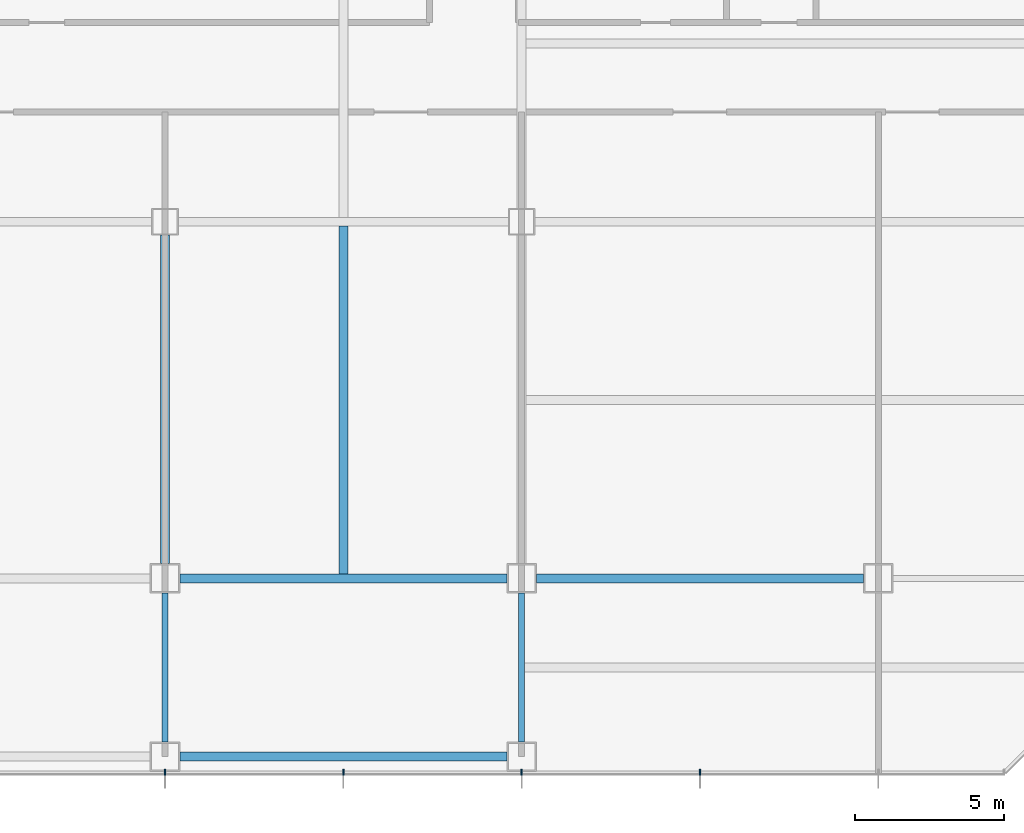
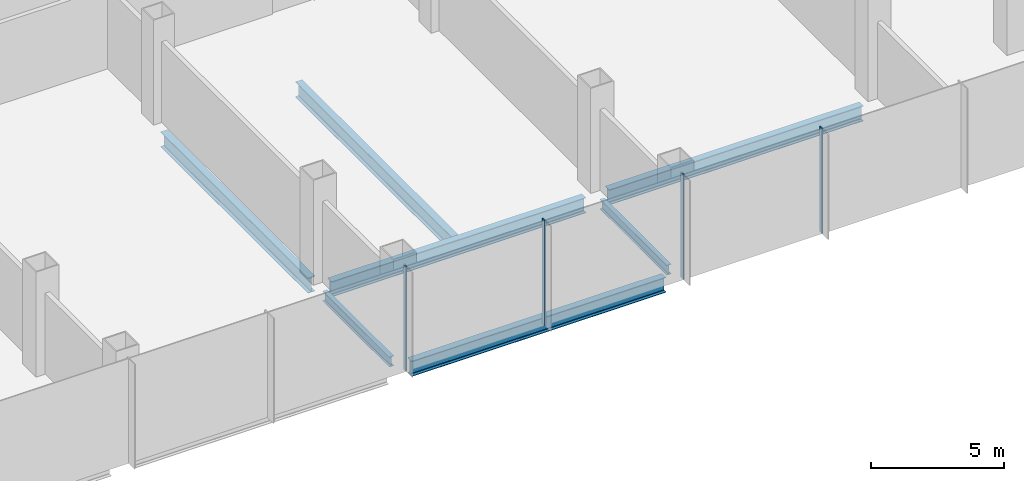
# One storey, part 8 of 33: 7 beams, 4 members, 1 element without a shape of its own.
"""IFC4 building model written with IfcOpenShell, lengths in metres."""

import ifcopenshell
import ifcopenshell.guid

model = None  # the IFC model being written
_history = None  # IfcOwnerHistory: only IFC2X3 demands one
_inside = {}  # id of a spatial element -> (the spatial element, [elements in it])
_under = {}  # id of a project, library or spatial element -> (it, [spatial elements below it])
_declared = {}  # id of a project -> (the project, [libraries it declares])
_typed = {}  # id of a type object -> (the type object, [elements of that type])
_made_of = {}  # id of a material, layer set ... -> (it, [elements and type objects made of it])


def new_model(schema):
    """Start an empty IFC model of exactly this schema.

    Asked for "IFC4X3", IfcOpenShell would pick the latest addendum, in which some entities
    have other attributes; the version numbers below select the first issue.
    IFC2X3 requires an IfcOwnerHistory on every rooted entity: one is made here for all.
    """
    global model, _history
    if schema == "IFC4X3":
        model = ifcopenshell.file(schema_version=(4, 3, 0, 0))
    else:
        model = ifcopenshell.file(schema=schema)
    _inside.clear()
    _under.clear()
    _declared.clear()
    _typed.clear()
    _made_of.clear()
    _history = None
    if model.schema == "IFC2X3":
        org = make("IfcOrganization", Name="unknown")
        user = make(
            "IfcPersonAndOrganization",
            ThePerson=make("IfcPerson", FamilyName="unknown"),
            TheOrganization=org,
        )
        app = make(
            "IfcApplication",
            ApplicationDeveloper=org,
            Version="unknown",
            ApplicationFullName="unknown",
            ApplicationIdentifier="unknown",
        )
        _history = make(
            "IfcOwnerHistory",
            OwningUser=user,
            OwningApplication=app,
            ChangeAction="ADDED",
            CreationDate=0,
        )
    return model


def make(cls, **values):
    """One entity of the class cls with the attributes given. An attribute that is None is left unset."""
    return model.create_entity(
        cls, **{name: value for name, value in values.items() if value is not None}
    )


def rooted(cls, **values):
    """An entity with a GlobalId (a new one), such as an element, a storey or a relation."""
    return make(cls, GlobalId=ifcopenshell.guid.new(), OwnerHistory=_history, **values)


def si_unit(unit_type, name, prefix=None):
    """IfcSIUnit, for example si_unit("LENGTHUNIT", "METRE", prefix="MILLI")."""
    return make("IfcSIUnit", UnitType=unit_type, Prefix=prefix, Name=name)


def assignment(units):
    """IfcUnitAssignment: the units of a project."""
    return None if units is None else make("IfcUnitAssignment", Units=units)


def point(xyz):
    """IfcCartesianPoint."""
    return None if xyz is None else make("IfcCartesianPoint", Coordinates=xyz)


def direction(xyz):
    """IfcDirection."""
    return None if xyz is None else make("IfcDirection", DirectionRatios=xyz)


def frame(location, z_axis=None, x_axis=None):
    """IfcAxis2Placement3D, a coordinate frame: its origin and axes. An axis left out is left unset."""
    return make(
        "IfcAxis2Placement3D",
        Location=point(location),
        Axis=direction(z_axis),
        RefDirection=direction(x_axis),
    )


def frame_2d(location, x_axis=None):
    """IfcAxis2Placement2D, a coordinate frame in the plane: its origin and x axis."""
    return make(
        "IfcAxis2Placement2D", Location=point(location), RefDirection=direction(x_axis)
    )


def origin():
    """The frame at (0, 0, 0) with its axes left unset."""
    return frame((0.0, 0.0, 0.0))


def origin_2d():
    """The frame at (0, 0) in the plane with its x axis left unset."""
    return frame_2d((0.0, 0.0))


def place(relative_to, where):
    """IfcLocalPlacement: puts the frame where relative to a parent placement (None: the world)."""
    return make(
        "IfcLocalPlacement", PlacementRelTo=relative_to, RelativePlacement=where
    )


def context(
    kind, dimensions, precision=None, world=None, true_north=None, identifier=None
):
    """IfcGeometricRepresentationContext, for example the 3D "Model" context."""
    return make(
        "IfcGeometricRepresentationContext",
        ContextIdentifier=identifier,
        ContextType=kind,
        CoordinateSpaceDimension=dimensions,
        Precision=precision,
        WorldCoordinateSystem=world,
        TrueNorth=true_north,
    )


def subcontext(parent, identifier, kind, view, scale=None):
    """IfcGeometricRepresentationSubContext, for example "Body" below "Model"."""
    return make(
        "IfcGeometricRepresentationSubContext",
        ContextIdentifier=identifier,
        ContextType=kind,
        ParentContext=parent,
        TargetScale=scale,
        TargetView=view,
    )


def project(units=None, contexts=None):
    """IfcProject with its units and contexts."""
    return rooted(
        "IfcProject",
        Name="project",
        RepresentationContexts=contexts,
        UnitsInContext=assignment(units),
    )


def spatial(cls, under=None, at=None, **own):
    """A site, building, storey or space (cls), placed at a placement, below another one or the project."""
    s = rooted(cls, ObjectPlacement=at, **own)
    if under is not None:
        _under.setdefault(under.id(), (under, []))[1].append(s)
    return s


def profile(cls, at=None, kind="AREA", **sizes):
    """A parametric profile (cls). Its sizes go by their IFC names, for example OverallWidth=200.0."""
    return make(cls, ProfileType=kind, Position=at, **sizes)


def rectangle(**sizes):
    """IfcRectangleProfileDef."""
    return profile("IfcRectangleProfileDef", **sizes)


def i_section(**sizes):
    """IfcIShapeProfileDef."""
    return profile("IfcIShapeProfileDef", **sizes)


def extrude(swept, where, along, depth):
    """IfcExtrudedAreaSolid: the profile swept, set in the frame where, extruded along a direction by depth."""
    return make(
        "IfcExtrudedAreaSolid",
        SweptArea=swept,
        Position=where,
        ExtrudedDirection=direction(along),
        Depth=depth,
    )


def shape(context_of_items, identifier, shape_type, items):
    """IfcShapeRepresentation: the items that make up one representation, for example the "Body"."""
    return make(
        "IfcShapeRepresentation",
        ContextOfItems=context_of_items,
        RepresentationIdentifier=identifier,
        RepresentationType=shape_type,
        Items=items,
    )


def material(Name=None, Category=None):
    """IfcMaterial."""
    return make("IfcMaterial", Name=Name, Category=Category)


def material_profile(
    of_material, cross_section, Name=None, Category=None, Priority=None
):
    """IfcMaterialProfile: a cross section and its material."""
    return make(
        "IfcMaterialProfile",
        Name=Name,
        Material=of_material,
        Profile=cross_section,
        Priority=Priority,
        Category=Category,
    )


def profile_set(profiles, Name=None, composite=None):
    """IfcMaterialProfileSet."""
    return make(
        "IfcMaterialProfileSet",
        Name=Name,
        MaterialProfiles=profiles,
        CompositeProfile=composite,
    )


def made_of(thing, what):
    """Note that an element or type object is made of a material, layer set ...; save() writes the relation."""
    if what is not None:
        _made_of.setdefault(what.id(), (what, []))[1].append(thing)
    return thing


def type_object(cls, material=None, **own):
    """A type object (cls), such as IfcWallType, which elements share."""
    return made_of(rooted(cls, **own), material)


def element(
    cls,
    number,
    at=None,
    inside=None,
    cuts=None,
    type_object=None,
    material=None,
    context=None,
    identifier="Body",
    shape_type=None,
    held_by="IfcProductDefinitionShape",
    body=None,
    shapes=None,
    **own,
):
    """One element of the class cls, such as IfcWall. Its Tag is "e" and its number.

    at: its placement. inside: the storey or other place that contains it. cuts: it is an
    opening in that element (IfcRelVoidsElement). A single representation is given by context,
    identifier, shape_type and body (its items); several are given by shapes. held_by: the class
    of the entity that holds the representations. save() writes the other relations.
    """
    e = rooted(cls, Tag="e%d" % number, ObjectPlacement=at, **own)
    if body is not None:
        shapes = [shape(context, identifier, shape_type, body)]
    if shapes is not None:
        e.Representation = make(held_by, Representations=shapes)
    if inside is not None:
        _inside.setdefault(inside.id(), (inside, []))[1].append(e)
    if cuts is not None:
        rooted(
            "IfcRelVoidsElement", RelatingBuildingElement=cuts, RelatedOpeningElement=e
        )
    if type_object is not None:
        _typed.setdefault(type_object.id(), (type_object, []))[1].append(e)
    return made_of(e, material)


def aggregate(whole, parts):
    """IfcRelAggregates: a whole, such as a stair, and the parts it consists of."""
    return rooted("IfcRelAggregates", RelatingObject=whole, RelatedObjects=parts)


def save(model, path):
    """Write the relations noted so far, then the file.

    IfcRelAggregates (storeys below a building ...), IfcRelContainedInSpatialStructure (elements
    in a storey), IfcRelDefinesByType, IfcRelAssociatesMaterial and IfcRelDeclares: one each for
    every whole, place, type object, material and project.
    """
    for whole, parts in _under.values():
        aggregate(whole, parts)
    for where, things in _inside.values():
        rooted(
            "IfcRelContainedInSpatialStructure",
            RelatedElements=things,
            RelatingStructure=where,
        )
    for kind, things in _typed.values():
        rooted("IfcRelDefinesByType", RelatedObjects=things, RelatingType=kind)
    for what, things in _made_of.values():
        rooted("IfcRelAssociatesMaterial", RelatedObjects=things, RelatingMaterial=what)
    for by, libraries in _declared.values():
        rooted("IfcRelDeclares", RelatingContext=by, RelatedDefinitions=libraries)
    model.write(path)


model = new_model("IFC4")

# Units and contexts
model_context = context("Model", 3, precision=1e-05, world=origin(), true_north=direction((0.0, 1.0)))
body_context = subcontext(model_context, "Body", "Model", "MODEL_VIEW")
ifc_project = project(units=[si_unit("LENGTHUNIT", "METRE"), si_unit("AREAUNIT", "SQUARE_METRE"), si_unit("VOLUMEUNIT", "CUBIC_METRE"), si_unit("PLANEANGLEUNIT", "RADIAN"), si_unit("MASSUNIT", "GRAM", prefix="KILO")], contexts=[model_context])

# Site, building, storey
site_placement = place(None, origin())
site = spatial("IfcSite", under=ifc_project, at=site_placement, CompositionType="ELEMENT")
building_placement = place(site_placement, origin())
building = spatial("IfcBuilding", under=site, at=building_placement, Name="Sorahane Residences", CompositionType="ELEMENT")
storey_placement = place(building_placement, frame((0.0, 0.0, 30.0)))
storey = spatial("IfcBuildingStorey", under=building, at=storey_placement, Name="L04", CompositionType="ELEMENT", Elevation=30.0)

# Curtain wall, members
ifc_material_1 = material(Name="Dark low-e glass and black anodised aluminium", Category="aluminium")
curtain_wall_type = type_object("IfcCurtainWallType", Name="Curtain wall CW-3 Podium unitised wall", PredefinedType="NOTDEFINED", material=ifc_material_1)
curtain_wall_placement = place(storey_placement, origin())
curtain_wall = element("IfcCurtainWall", 1, at=curtain_wall_placement, inside=storey, type_object=curtain_wall_type, Name="CW-3 curtain wall L04 S1", PredefinedType="NOTDEFINED")
ifc_material_2 = material(Name="Black anodised aluminium", Category="aluminium")
ifc_material_profile_1 = material_profile(ifc_material_2, rectangle(XDim=0.199951171875, YDim=0.050048828125, at=origin_2d()), Name="Curtain wall mullion CW-3 black anodised aluminium 50x200")
ifc_profile_set_1 = profile_set([ifc_material_profile_1], Name="Black anodised aluminium")
member_type = type_object("IfcMemberType", Name="Curtain wall mullion CW-3 black anodised aluminium 50x200", PredefinedType="MULLION", material=ifc_profile_set_1)
member_1_placement = place(storey_placement, frame((36.0, -6.52001953125, -0.39990234375), z_axis=(0.0, 0.0, 1.0), x_axis=(0.0, -1.0, 0.0)))
member_1 = element("IfcMember", 2, at=member_1_placement, type_object=member_type, Name="CW-3 mullion L04 S1.6", PredefinedType="MULLION", context=body_context, shape_type="SweptSolid", body=[
    extrude(rectangle(XDim=0.199951171875, YDim=0.050048828125, at=origin_2d()), origin(), (0.0, 0.0, 1.0), 4.7998046875),
])
member_2_placement = place(storey_placement, frame((42.0, -6.52001953125, -0.39990234375), z_axis=(0.0, 0.0, 1.0), x_axis=(0.0, -1.0, 0.0)))
member_2 = element("IfcMember", 3, at=member_2_placement, type_object=member_type, Name="CW-3 mullion L04 S1.7", PredefinedType="MULLION", context=body_context, shape_type="SweptSolid", body=[
    extrude(rectangle(XDim=0.199951171875, YDim=0.050048828125, at=origin_2d()), origin(), (0.0, 0.0, 1.0), 4.7998046875),
])
member_3_placement = place(storey_placement, frame((48.0, -6.52001953125, -0.39990234375), z_axis=(0.0, 0.0, 1.0), x_axis=(0.0, -1.0, 0.0)))
member_3 = element("IfcMember", 4, at=member_3_placement, type_object=member_type, Name="CW-3 mullion L04 S1.8", PredefinedType="MULLION", context=body_context, shape_type="SweptSolid", body=[
    extrude(rectangle(XDim=0.199951171875, YDim=0.050048828125, at=origin_2d()), origin(), (0.0, 0.0, 1.0), 4.7998046875),
])
member_4_placement = place(storey_placement, frame((54.0, -6.52001953125, -0.39990234375), z_axis=(0.0, 0.0, 1.0), x_axis=(0.0, -1.0, 0.0)))
member_4 = element("IfcMember", 5, at=member_4_placement, type_object=member_type, Name="CW-3 mullion L04 S1.9", PredefinedType="MULLION", context=body_context, shape_type="SweptSolid", body=[
    extrude(rectangle(XDim=0.199951171875, YDim=0.050048828125, at=origin_2d()), origin(), (0.0, 0.0, 1.0), 4.7998046875),
])
aggregate(curtain_wall, [member_1, member_2, member_3, member_4])

# Beams
ifc_material_3 = material(Name="Steel Q355B", Category="steel")
ifc_material_profile_2 = material_profile(ifc_material_3, i_section(OverallWidth=0.199951171875, OverallDepth=0.449951171875, WebThickness=0.009033203125, FlangeThickness=0.013916015625, FilletRadius=0.02001953125, at=origin_2d()), Name="HN 450x200x9x14")
ifc_profile_set_2 = profile_set([ifc_material_profile_2], Name="Steel Q355B")
beam_type_1 = type_object("IfcBeamType", Name="Steel floor beam HN 450x200x9x14 Q355B", PredefinedType="BEAM", material=ifc_profile_set_2)
for number, where, z_axis, x_axis, name in (
    (6, (36.0, -5.5, -0.625), (0.0, 1.0, 0.0), (-1.0, 0.0, 0.0), "Beam L04 053"),
    (7, (48.0, -5.5, -0.625), (0.0, 1.0, 0.0), (-1.0, 0.0, 0.0), "Beam L04 062"),
):
    element("IfcBeam", number, at=place(storey_placement, frame(where, z_axis=z_axis, x_axis=x_axis)), inside=storey, type_object=beam_type_1, Name=name, PredefinedType="BEAM", context=body_context, shape_type="SweptSolid", body=[
        extrude(i_section(OverallWidth=0.199951171875, OverallDepth=0.449951171875, WebThickness=0.009033203125, FlangeThickness=0.013916015625, FilletRadius=0.02001953125, at=origin_2d()), origin(), (0.0, 0.0, 1.0), 5.0),
    ])
ifc_material_4 = material(Name="Steel Q355B", Category="steel")
ifc_material_profile_3 = material_profile(ifc_material_4, i_section(OverallWidth=0.300048828125, OverallDepth=0.699951171875, WebThickness=0.012939453125, FlangeThickness=0.02392578125, FilletRadius=0.028076171875, at=origin_2d()), Name="HN 700x300x13x24")
ifc_profile_set_3 = profile_set([ifc_material_profile_3], Name="Steel Q355B")
beam_type_2 = type_object("IfcBeamType", Name="Steel floor beam HN 700x300x13x24 Q355B", PredefinedType="BEAM", material=ifc_profile_set_3)
for number, where, z_axis, x_axis, name in (
    (8, (36.5, 0.0, -0.75), (1.0, 0.0, 0.0), (0.0, 1.0, 0.0), "Beam L04 004"),
    (9, (48.5, 0.0, -0.75), (1.0, 0.0, 0.0), (0.0, 1.0, 0.0), "Beam L04 005"),
):
    element("IfcBeam", number, at=place(storey_placement, frame(where, z_axis=z_axis, x_axis=x_axis)), inside=storey, type_object=beam_type_2, Name=name, PredefinedType="BEAM", context=body_context, shape_type="SweptSolid", body=[
        extrude(i_section(OverallWidth=0.300048828125, OverallDepth=0.699951171875, WebThickness=0.012939453125, FlangeThickness=0.02392578125, FilletRadius=0.028076171875, at=origin_2d()), origin(), (0.0, 0.0, 1.0), 11.0),
    ])
beam_1_placement = place(storey_placement, frame((36.0, 0.5, -0.75), z_axis=(0.0, 1.0, 0.0), x_axis=(-1.0, 0.0, 0.0)))
element("IfcBeam", 10, at=beam_1_placement, inside=storey, type_object=beam_type_2, Name="Beam L04 054", PredefinedType="BEAM", context=body_context, shape_type="SweptSolid", body=[
    extrude(i_section(OverallWidth=0.300048828125, OverallDepth=0.699951171875, WebThickness=0.012939453125, FlangeThickness=0.02392578125, FilletRadius=0.028076171875, at=origin_2d()), origin(), (0.0, 0.0, 1.0), 11.050048828125),
])
beam_2_placement = place(storey_placement, frame((42.0, 0.14990234375, -0.75), z_axis=(0.0, 1.0, 0.0), x_axis=(-1.0, 0.0, 0.0)))
element("IfcBeam", 11, at=beam_2_placement, inside=storey, type_object=beam_type_2, Name="Beam L04 056", PredefinedType="BEAM", context=body_context, shape_type="SweptSolid", body=[
    extrude(i_section(OverallWidth=0.300048828125, OverallDepth=0.699951171875, WebThickness=0.012939453125, FlangeThickness=0.02392578125, FilletRadius=0.028076171875, at=origin_2d()), origin(), (0.0, 0.0, 1.0), 11.7001953125),
])
beam_3_placement = place(storey_placement, frame((36.5, -6.0, -0.75), z_axis=(1.0, 0.0, 0.0), x_axis=(0.0, 1.0, 0.0)))
element("IfcBeam", 12, at=beam_3_placement, inside=storey, type_object=beam_type_2, Name="Beam L04 081", PredefinedType="BEAM", context=body_context, shape_type="SweptSolid", body=[
    extrude(i_section(OverallWidth=0.300048828125, OverallDepth=0.699951171875, WebThickness=0.012939453125, FlangeThickness=0.02392578125, FilletRadius=0.028076171875, at=origin_2d()), origin(), (0.0, 0.0, 1.0), 11.0),
])

save(model, "model.ifc")
